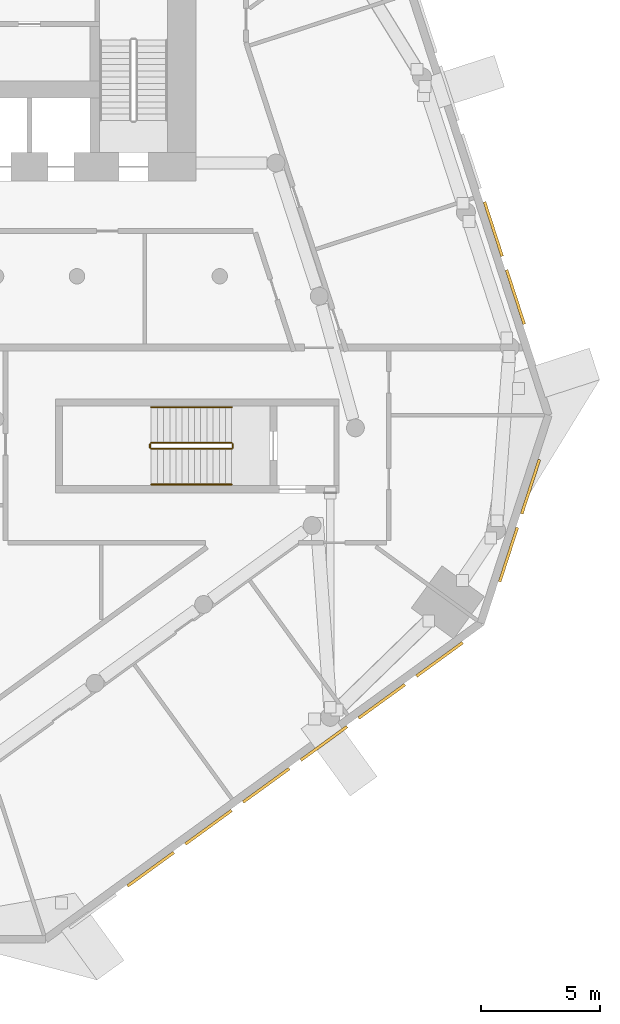
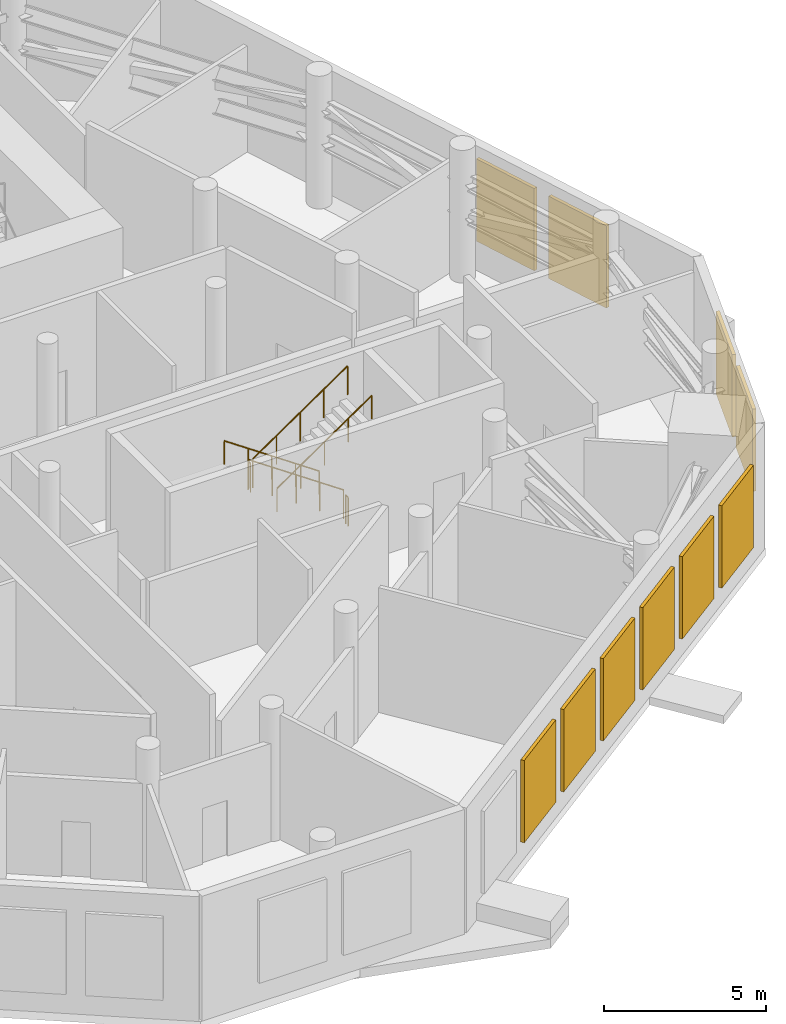
# One storey, part 13 of 15: 10 shading devices, 6 railings.
"""IFC4 building model written with IfcOpenShell, lengths in metres."""

from ifc_helpers import new_model, si_unit, direction, frame, origin, origin_2d, place, context, subcontext, project, spatial, rectangle, circle, extrude, material, type_object, element, save


model = new_model("IFC4")

# Units and contexts
model_context = context("Model", 3, precision=1e-05, world=origin(), true_north=direction((0.0, 1.0)))
body_context = subcontext(model_context, "Body", "Model", "MODEL_VIEW")
ifc_project = project(units=[si_unit("LENGTHUNIT", "METRE"), si_unit("AREAUNIT", "SQUARE_METRE"), si_unit("VOLUMEUNIT", "CUBIC_METRE"), si_unit("PLANEANGLEUNIT", "RADIAN"), si_unit("MASSUNIT", "GRAM", prefix="KILO")], contexts=[model_context])

# Site, building, storey
site_placement = place(None, origin())
site = spatial("IfcSite", under=ifc_project, at=site_placement, CompositionType="ELEMENT")
building_placement = place(site_placement, origin())
building = spatial("IfcBuilding", under=site, at=building_placement, Name="White Candle Pilgrim Tower", CompositionType="ELEMENT")
storey_placement = place(building_placement, frame((0.0, 0.0, 85.800048828125)))
storey = spatial("IfcBuildingStorey", under=building, at=storey_placement, Name="L18", CompositionType="ELEMENT", Elevation=85.800048828125)

# Shading devices
ifc_material_1 = material(Name="Aluminium", Category="aluminium")
shading_device_type = type_object("IfcShadingDeviceType", Name="Plant louvre LV2 2400x3100 aluminium framed", PredefinedType="USERDEFINED", material=ifc_material_1)
for number, where, z_axis, x_axis, name in (
    (1, (79.096923828125, 42.084228515625, 0.7998046875), (0.0, 0.0, 1.0), (0.809016998489, 0.58778524663, 0.0), "Plant louvre L18 SE 2"),
    (2, (81.52392578125, 43.84765625, 0.7998046875), (0.0, 0.0, 1.0), (0.809016998489, 0.58778524663, 0.0), "Plant louvre L18 SE 3"),
    (3, (83.950927734375, 45.61083984375, 0.7998046875), (0.0, 0.0, 1.0), (0.809016998489, 0.58778524663, 0.0), "Plant louvre L18 SE 4"),
    (4, (86.3779296875, 47.374267578125, 0.7998046875), (0.0, 0.0, 1.0), (0.809016998489, 0.58778524663, 0.0), "Plant louvre L18 SE 5"),
    (5, (88.804931640625, 49.1376953125, 0.7998046875), (0.0, 0.0, 1.0), (0.809016998489, 0.58778524663, 0.0), "Plant louvre L18 SE 6"),
    (6, (91.232177734375, 50.901123046875, 0.7998046875), (0.0, 0.0, 1.0), (0.809016998489, 0.58778524663, 0.0), "Plant louvre L18 SE 7"),
    (7, (94.13134765625, 55.30419921875, 0.7998046875), (0.0, 0.0, 1.0), (0.309016971535, 0.951056523716, 0.0), "Plant louvre L18 E chamfer 1"),
    (8, (95.058349609375, 58.1572265625, 0.7998046875), (0.0, 0.0, 1.0), (0.309016971535, 0.951056523716, 0.0), "Plant louvre L18 E chamfer 2"),
    (9, (94.421875, 66.128662109375, 0.7998046875), (0.0, 0.0, 1.0), (-0.309016991122, 0.951056517352, 0.0), "Plant louvre L18 ENE 2"),
    (10, (93.494873046875, 68.98193359375, 0.7998046875), (0.0, 0.0, 1.0), (-0.309016991122, 0.951056517352, 0.0), "Plant louvre L18 ENE 3"),
):
    element("IfcShadingDevice", number, at=place(storey_placement, frame(where, z_axis=z_axis, x_axis=x_axis)), inside=storey, type_object=shading_device_type, Name=name, ObjectType="LOUVRE", PredefinedType="USERDEFINED", context=body_context, shape_type="SweptSolid", body=[
        extrude(rectangle(XDim=2.39990234375, YDim=0.1201171875, at=origin_2d()), origin(), (0.0, 0.0, 1.0), 3.10009765625),
    ])

# Railings
ifc_material_2 = material(Name="Stainless steel", Category="steel")
railing_type_1 = type_object("IfcRailingType", Name="Stair guard stainless steel 1100 mm", PredefinedType="GUARDRAIL", material=ifc_material_2)
railing_1_placement = place(storey_placement, frame((82.5, 60.0, 0.178466796875)))
element("IfcRailing", 11, at=railing_1_placement, inside=storey, type_object=railing_type_1, Name="L18 ST4 stair guard 1", PredefinedType="GUARDRAIL", context=body_context, shape_type="SweptSolid", body=[
    extrude(circle(Radius=0.02392578125, at=origin_2d()), frame((0.0, 0.0, 1.076171875), z_axis=(-0.824285065979, 0.0, 0.566174999451), x_axis=(0.0, -1.0, 0.0)), (0.0, 0.0, 1.0), 4.100341796875),
    extrude(circle(Radius=0.02099609375, at=origin_2d()), origin(), (0.0, 0.0, 1.0), 1.052001953125),
    extrude(circle(Radius=0.02099609375, at=origin_2d()), frame((-0.844970703125, 0.0, 0.580322265625)), (0.0, 0.0, 1.0), 1.052001953125),
    extrude(circle(Radius=0.02099609375, at=origin_2d()), frame((-1.68994140625, 0.0, 1.16064453125)), (0.0, 0.0, 1.0), 1.052001953125),
    extrude(circle(Radius=0.02099609375, at=origin_2d()), frame((-2.534912109375, 0.0, 1.7412109375)), (0.0, 0.0, 1.0), 1.052001953125),
    extrude(circle(Radius=0.02099609375, at=origin_2d()), frame((-3.3798828125, 0.0, 2.321533203125)), (0.0, 0.0, 1.0), 1.052001953125),
])
railing_2_placement = place(storey_placement, frame((79.070068359375, 59.949951171875, 2.5)))
element("IfcRailing", 12, at=railing_2_placement, inside=storey, type_object=railing_type_1, Name="L18 ST4 stair guard 2", PredefinedType="GUARDRAIL", context=body_context, shape_type="SweptSolid", body=[
    extrude(circle(Radius=0.02392578125, at=origin_2d()), frame((0.0, 0.0, 1.076171875), z_axis=(0.0, -1.0, 0.0), x_axis=(1.0, 0.0, 0.0)), (0.0, 0.0, 1.0), 0.14990234375),
    extrude(circle(Radius=0.02099609375, at=origin_2d()), origin(), (0.0, 0.0, 1.0), 1.052001953125),
    extrude(circle(Radius=0.02099609375, at=origin_2d()), frame((0.0, -0.14990234375, 0.0)), (0.0, 0.0, 1.0), 1.052001953125),
])
railing_3_placement = place(storey_placement, frame((79.1201171875, 59.75, 2.678466796875)))
element("IfcRailing", 13, at=railing_3_placement, inside=storey, type_object=railing_type_1, Name="L18 ST4 stair guard 3", PredefinedType="GUARDRAIL", context=body_context, shape_type="SweptSolid", body=[
    extrude(circle(Radius=0.02392578125, at=origin_2d()), frame((0.0, 0.0, 1.076171875), z_axis=(0.824285065979, 0.0, 0.566174999451), x_axis=(0.0, 1.0, 0.0)), (0.0, 0.0, 1.0), 4.100341796875),
    extrude(circle(Radius=0.02099609375, at=origin_2d()), origin(), (0.0, 0.0, 1.0), 1.052001953125),
    extrude(circle(Radius=0.02099609375, at=origin_2d()), frame((0.844970703125, 0.0, 0.580322265625)), (0.0, 0.0, 1.0), 1.052001953125),
    extrude(circle(Radius=0.02099609375, at=origin_2d()), frame((1.68994140625, 0.0, 1.16064453125)), (0.0, 0.0, 1.0), 1.052001953125),
    extrude(circle(Radius=0.02099609375, at=origin_2d()), frame((2.534912109375, 0.0, 1.7412109375)), (0.0, 0.0, 1.0), 1.052001953125),
    extrude(circle(Radius=0.02099609375, at=origin_2d()), frame((3.3798828125, 0.0, 2.321533203125)), (0.0, 0.0, 1.0), 1.052001953125),
])
railing_4_placement = place(storey_placement, frame((82.550048828125, 59.949951171875, 0.0)))
element("IfcRailing", 14, at=railing_4_placement, inside=storey, type_object=railing_type_1, Name="L18 ST4 stair guard 4", PredefinedType="GUARDRAIL", context=body_context, shape_type="SweptSolid", body=[
    extrude(circle(Radius=0.02392578125, at=origin_2d()), frame((0.0, 0.0, 1.076171875), z_axis=(0.0, -1.0, 0.0), x_axis=(1.0, 0.0, 0.0)), (0.0, 0.0, 1.0), 0.14990234375),
    extrude(circle(Radius=0.02099609375, at=origin_2d()), origin(), (0.0, 0.0, 1.0), 1.052001953125),
    extrude(circle(Radius=0.02099609375, at=origin_2d()), frame((0.0, -0.14990234375, 0.0)), (0.0, 0.0, 1.0), 1.052001953125),
])
railing_type_2 = type_object("IfcRailingType", Name="Stair handrail stainless steel", PredefinedType="HANDRAIL", material=ifc_material_2)
railing_5_placement = place(storey_placement, frame((82.5, 61.5, 0.178466796875)))
element("IfcRailing", 15, at=railing_5_placement, inside=storey, type_object=railing_type_2, Name="L18 ST4 stair handrail 1", PredefinedType="HANDRAIL", context=body_context, shape_type="SweptSolid", body=[
    extrude(circle(Radius=0.02392578125, at=origin_2d()), frame((0.0, 0.0, 0.8759765625), z_axis=(-0.824285065979, 0.0, 0.566174999451), x_axis=(0.0, -1.0, 0.0)), (0.0, 0.0, 1.0), 4.100341796875),
    extrude(circle(Radius=0.02099609375, at=origin_2d()), origin(), (0.0, 0.0, 1.0), 0.851806640625),
    extrude(circle(Radius=0.02099609375, at=origin_2d()), frame((-0.844970703125, 0.0, 0.580322265625)), (0.0, 0.0, 1.0), 0.851806640625),
    extrude(circle(Radius=0.02099609375, at=origin_2d()), frame((-1.68994140625, 0.0, 1.16064453125)), (0.0, 0.0, 1.0), 0.851806640625),
    extrude(circle(Radius=0.02099609375, at=origin_2d()), frame((-2.534912109375, 0.0, 1.7412109375)), (0.0, 0.0, 1.0), 0.851806640625),
    extrude(circle(Radius=0.02099609375, at=origin_2d()), frame((-3.3798828125, 0.0, 2.321533203125)), (0.0, 0.0, 1.0), 0.851806640625),
])
railing_6_placement = place(storey_placement, frame((79.1201171875, 58.25, 2.678466796875)))
element("IfcRailing", 16, at=railing_6_placement, inside=storey, type_object=railing_type_2, Name="L18 ST4 stair handrail 2", PredefinedType="HANDRAIL", context=body_context, shape_type="SweptSolid", body=[
    extrude(circle(Radius=0.02392578125, at=origin_2d()), frame((0.0, 0.0, 0.8759765625), z_axis=(0.824285065979, 0.0, 0.566174999451), x_axis=(0.0, 1.0, 0.0)), (0.0, 0.0, 1.0), 4.100341796875),
    extrude(circle(Radius=0.02099609375, at=origin_2d()), origin(), (0.0, 0.0, 1.0), 0.851806640625),
    extrude(circle(Radius=0.02099609375, at=origin_2d()), frame((0.844970703125, 0.0, 0.580322265625)), (0.0, 0.0, 1.0), 0.851806640625),
    extrude(circle(Radius=0.02099609375, at=origin_2d()), frame((1.68994140625, 0.0, 1.16064453125)), (0.0, 0.0, 1.0), 0.851806640625),
    extrude(circle(Radius=0.02099609375, at=origin_2d()), frame((2.534912109375, 0.0, 1.7412109375)), (0.0, 0.0, 1.0), 0.851806640625),
    extrude(circle(Radius=0.02099609375, at=origin_2d()), frame((3.3798828125, 0.0, 2.321533203125)), (0.0, 0.0, 1.0), 0.851806640625),
])

save(model, "model.ifc")
